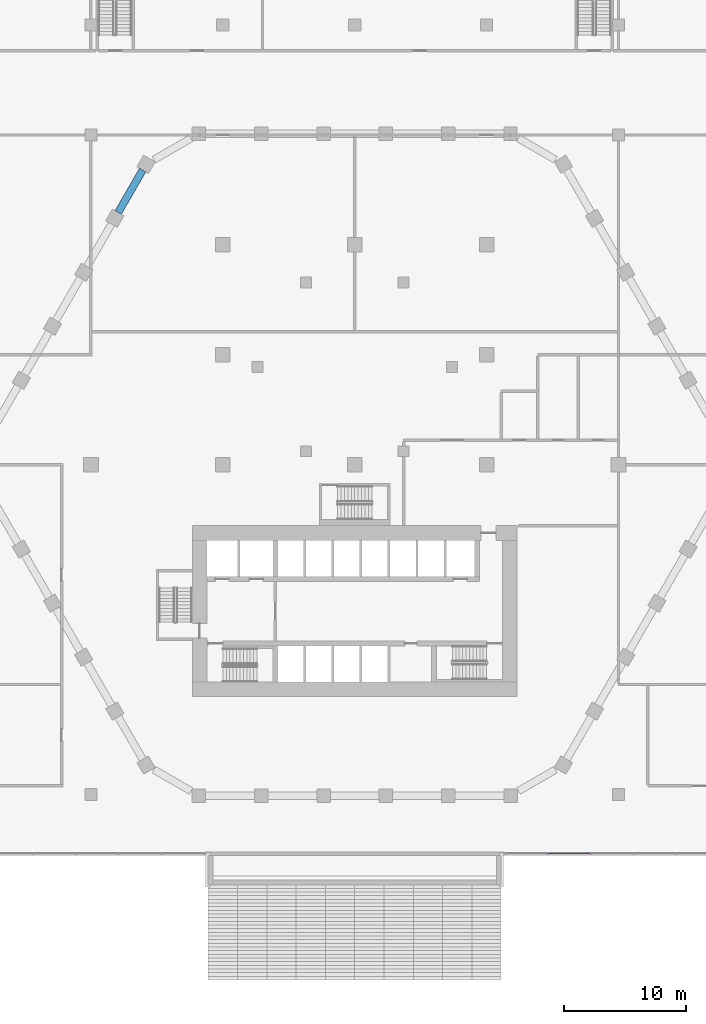
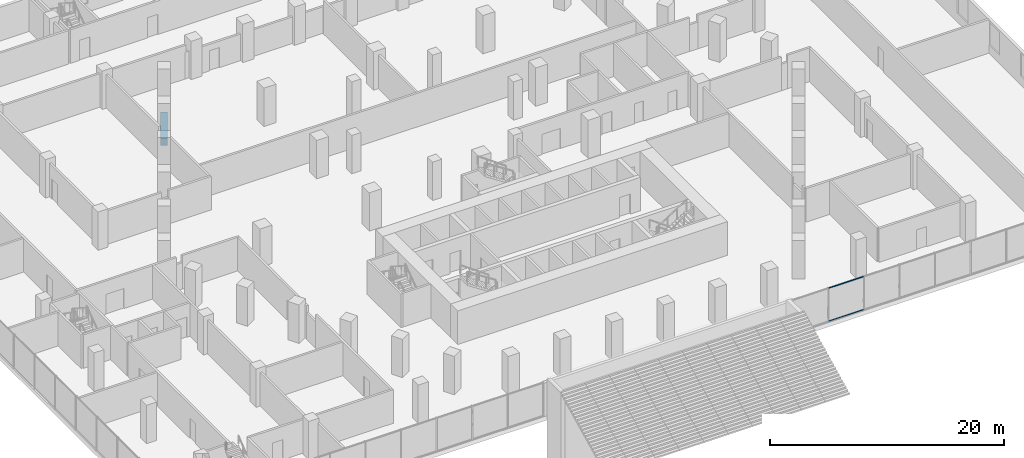
# One storey, part 8 of 45: 2 members, 1 beam, 1 element without a shape of its own.
"""IFC4 building model written with IfcOpenShell, lengths in metres."""

from ifc_helpers import new_model, si_unit, direction, frame, origin, origin_2d, place, context, subcontext, project, spatial, rectangle, hollow_rectangle, extrude, material, material_profile, profile_set, type_object, element, aggregate, save


model = new_model("IFC4")

# Units and contexts
model_context = context("Model", 3, precision=1e-05, world=origin(), true_north=direction((0.0, 1.0)))
body_context = subcontext(model_context, "Body", "Model", "MODEL_VIEW")
ifc_project = project(units=[si_unit("LENGTHUNIT", "METRE"), si_unit("AREAUNIT", "SQUARE_METRE"), si_unit("VOLUMEUNIT", "CUBIC_METRE"), si_unit("PLANEANGLEUNIT", "RADIAN"), si_unit("MASSUNIT", "GRAM", prefix="KILO")], contexts=[model_context])

# Site, building, storey
site_placement = place(None, origin())
site = spatial("IfcSite", under=ifc_project, at=site_placement, CompositionType="ELEMENT")
building_placement = place(site_placement, origin())
building = spatial("IfcBuilding", under=site, at=building_placement, Name="Beryl Residences", CompositionType="ELEMENT")
storey_placement = place(building_placement, frame((0.0, 0.0, 5.0)))
storey = spatial("IfcBuildingStorey", under=building, at=storey_placement, Name="L01", CompositionType="ELEMENT", Elevation=5.0)

# Curtain wall, members
ifc_material_1 = material(Name="Aluminium and clear glass", Category="aluminium")
curtain_wall_type = type_object("IfcCurtainWallType", Name="CW1 shopfront glazed wall", PredefinedType="NOTDEFINED", material=ifc_material_1)
curtain_wall_placement = place(storey_placement, origin())
curtain_wall = element("IfcCurtainWall", 1, at=curtain_wall_placement, inside=storey, type_object=curtain_wall_type, Name="CW1 L01 S", PredefinedType="NOTDEFINED")
ifc_material_2 = material(Name="Aluminium", Category="aluminium")
ifc_material_profile_1 = material_profile(ifc_material_2, hollow_rectangle(XDim=0.06005859375, YDim=0.10009765625, WallThickness=0.00390625, at=origin_2d()))
ifc_profile_set_1 = profile_set([ifc_material_profile_1], Name="Aluminium")
member_type = type_object("IfcMemberType", Name="CW1-T transom 60 x 100 mm", PredefinedType="USERDEFINED", material=ifc_profile_set_1)
member_1_placement = place(storey_placement, frame((15.840087890625, -31.85009765625, 0.030029296875), z_axis=(1.0, 0.0, 0.0), x_axis=(0.0, 1.0, 0.0)))
member_1 = element("IfcMember", 2, at=member_1_placement, type_object=member_type, Name="CW1 transom 2.1", ObjectType="TRANSOM", PredefinedType="USERDEFINED", context=body_context, shape_type="SweptSolid", body=[
    extrude(hollow_rectangle(XDim=0.06005859375, YDim=0.10009765625, WallThickness=0.00390625, at=origin_2d()), origin(), (0.0, 0.0, 1.0), 3.449951171875),
])
member_2_placement = place(storey_placement, frame((15.840087890625, -31.85009765625, 3.469970703125), z_axis=(1.0, 0.0, 0.0), x_axis=(0.0, 1.0, 0.0)))
member_2 = element("IfcMember", 3, at=member_2_placement, type_object=member_type, Name="CW1 transom 2.2", ObjectType="TRANSOM", PredefinedType="USERDEFINED", context=body_context, shape_type="SweptSolid", body=[
    extrude(hollow_rectangle(XDim=0.06005859375, YDim=0.10009765625, WallThickness=0.00390625, at=origin_2d()), origin(), (0.0, 0.0, 1.0), 3.449951171875),
])
aggregate(curtain_wall, [member_1, member_2])

# Beam
ifc_material_3 = material(Name="Concrete C80/95", Category="concrete")
ifc_material_profile_2 = material_profile(ifc_material_3, rectangle(XDim=0.60009765625, YDim=0.699951171875, at=origin_2d()))
ifc_profile_set_2 = profile_set([ifc_material_profile_2], Name="Concrete C80/95")
beam_type = type_object("IfcBeamType", Name="SB1 spandrel beam 600 x 700 C80/95", PredefinedType="SPANDREL", material=ifc_profile_set_2)
beam_placement = place(storey_placement, frame((-17.364990234375, 24.1240234375, -0.800048828125), z_axis=(-0.499942357345, -0.866058681229, 0.0), x_axis=(0.866058681229, -0.499942357345, 0.0)))
element("IfcBeam", 4, at=beam_placement, inside=storey, type_object=beam_type, Name="SB1 L01 NW-0", PredefinedType="SPANDREL", context=body_context, shape_type="SweptSolid", body=[
    extrude(rectangle(XDim=0.60009765625, YDim=0.699951171875, at=origin_2d()), origin(), (0.0, 0.0, 1.0), 4.00439453125),
])

save(model, "model.ifc")
